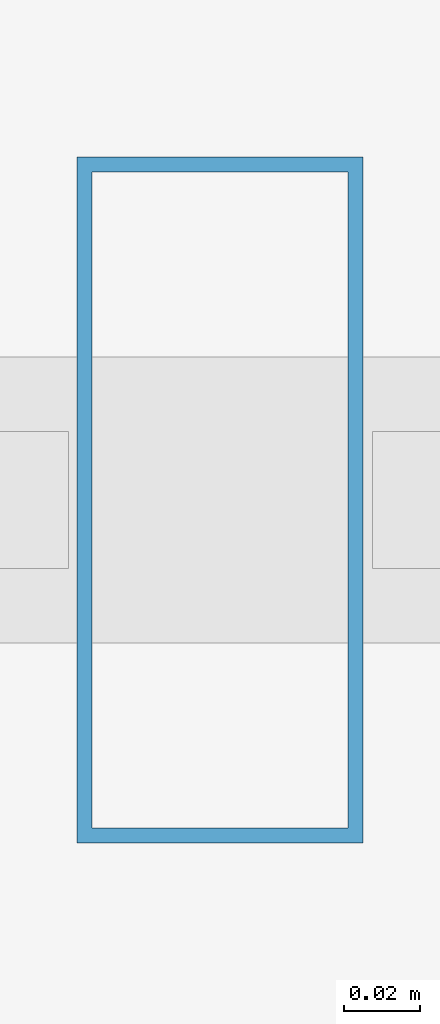
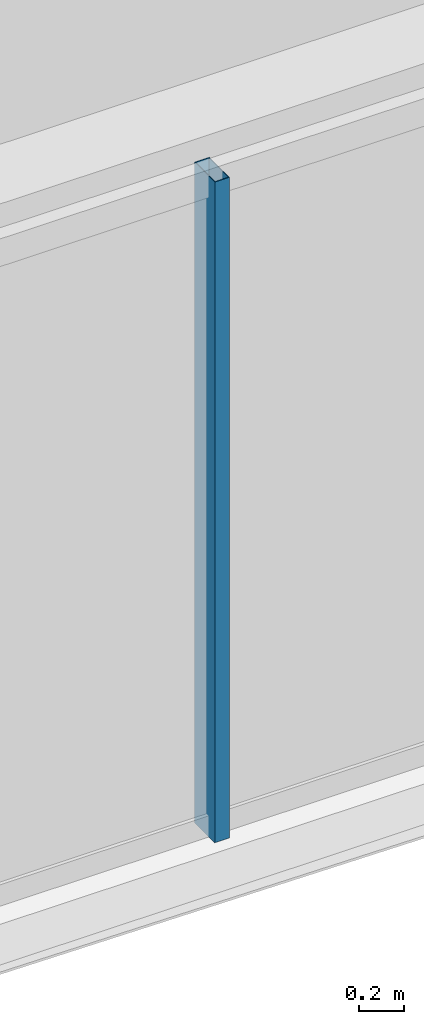
# One storey, part 9 of 35: 1 member, 1 element without a shape of its own.
"""IFC4 building model written with IfcOpenShell, lengths in metres."""

from ifc_helpers import new_model, si_unit, direction, frame, origin, origin_2d, place, context, subcontext, project, spatial, hollow_rectangle, extrude, material, layer, layer_set, material_profile, profile_set, type_object, element, aggregate, save


model = new_model("IFC4")

# Units and contexts
model_context = context("Model", 3, precision=1e-05, world=origin(), true_north=direction((0.0, 1.0)))
body_context = subcontext(model_context, "Body", "Model", "MODEL_VIEW")
ifc_project = project(units=[si_unit("LENGTHUNIT", "METRE"), si_unit("AREAUNIT", "SQUARE_METRE"), si_unit("VOLUMEUNIT", "CUBIC_METRE"), si_unit("PLANEANGLEUNIT", "RADIAN"), si_unit("MASSUNIT", "GRAM", prefix="KILO")], contexts=[model_context])

# Site, building, storey
site_placement = place(None, origin())
site = spatial("IfcSite", under=ifc_project, at=site_placement, CompositionType="ELEMENT")
building_placement = place(site_placement, origin())
building = spatial("IfcBuilding", under=site, at=building_placement, Name="Ndaravel Arena Tower", CompositionType="ELEMENT")
storey_placement = place(building_placement, frame((0.0, 0.0, 271.199951171875)))
storey = spatial("IfcBuildingStorey", under=building, at=storey_placement, Name="L66", CompositionType="ELEMENT", Elevation=271.199951171875)

# Curtain wall, member
ifc_material_1 = material(Name="Aluminium", Category="aluminium")
ifc_layer = layer(ifc_material_1, 0.179931640625)
ifc_layer_set = layer_set([ifc_layer], Name="Aluminium")
curtain_wall_type = type_object("IfcCurtainWallType", Name="CW-SYS-03", PredefinedType="NOTDEFINED", material=ifc_layer_set)
curtain_wall_placement = place(storey_placement, origin())
curtain_wall = element("IfcCurtainWall", 1, at=curtain_wall_placement, inside=storey, type_object=curtain_wall_type, Name="L66 Faceted Crystal Curtain Wall CW-L66-E01", PredefinedType="NOTDEFINED")
ifc_material_2 = material(Name="Aluminium", Category="aluminium")
ifc_material_profile = material_profile(ifc_material_2, hollow_rectangle(XDim=0.074951171875, YDim=0.179931640625, WallThickness=0.00390625, at=origin_2d()), Name="CW MULLION 75x180x4")
ifc_profile_set = profile_set([ifc_material_profile], Name="Aluminium")
member_type = type_object("IfcMemberType", Name="MEM-CW-MUL180", PredefinedType="MULLION", material=ifc_profile_set)
member_placement = place(storey_placement, frame((39.7822265625, 5.159912109375, 0.0), z_axis=(0.0, 0.0, 1.0), x_axis=(1.0, 0.0, 0.0)))
member = element("IfcMember", 2, at=member_placement, type_object=member_type, Name="CW-L66-E01 Mullion 04", PredefinedType="MULLION", context=body_context, shape_type="SweptSolid", body=[
    extrude(hollow_rectangle(XDim=0.074951171875, YDim=0.179931640625, WallThickness=0.00390625, at=origin_2d()), origin(), (0.0, 0.0, 1.0), 3.580078125),
])
aggregate(curtain_wall, [member])

save(model, "model.ifc")
